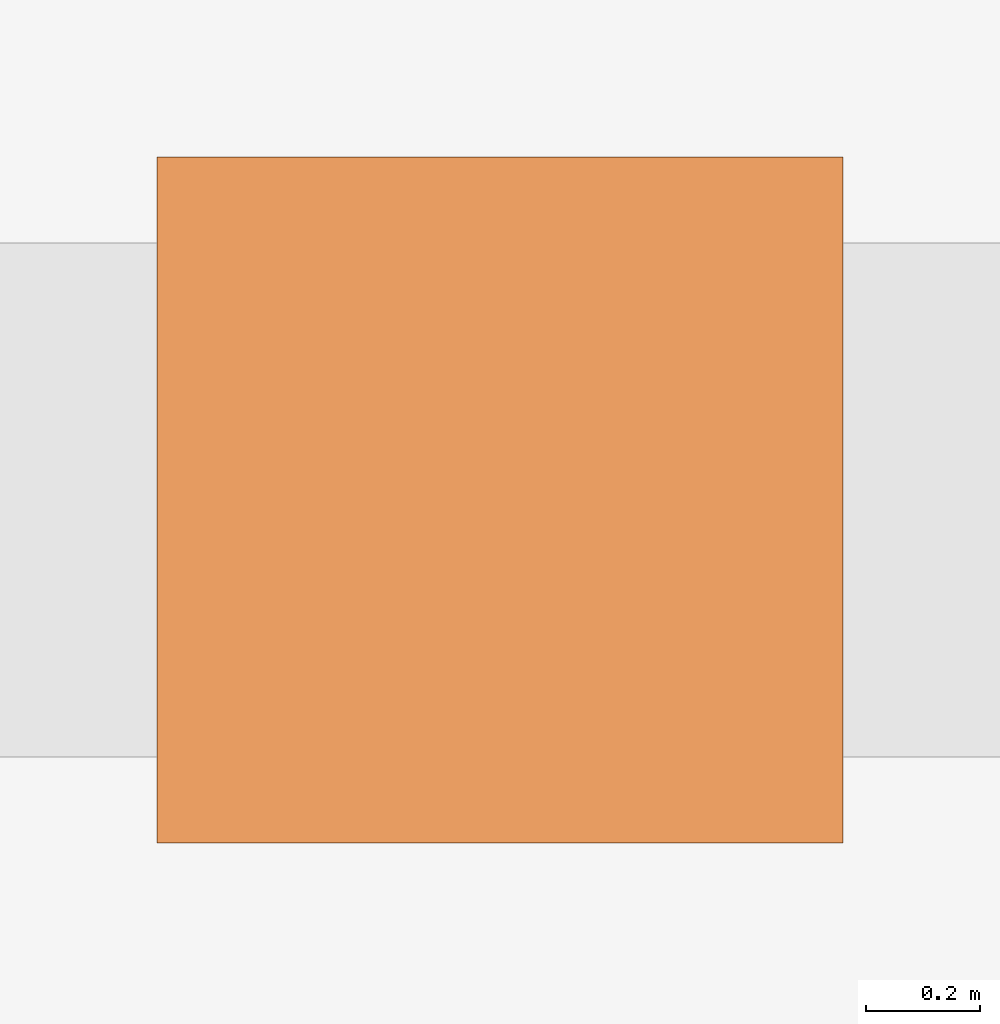
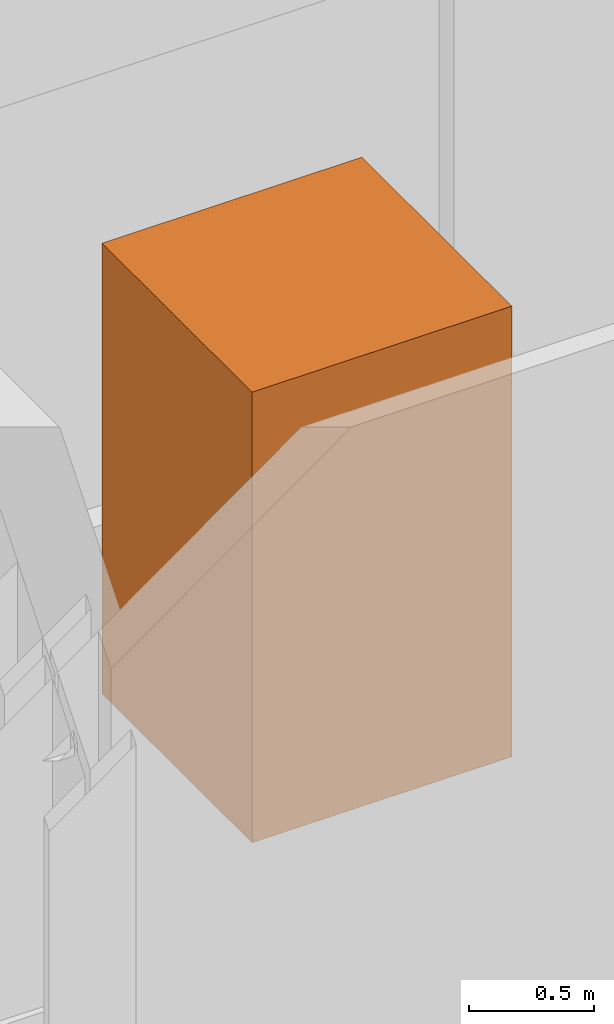
# One storey, part 10 of 10: 1 geographic element.
"""IFC4 building model written with IfcOpenShell, lengths in metres."""

from ifc_helpers import new_model, si_unit, direction, frame, origin, origin_2d, place, context, subcontext, project, spatial, rectangle, extrude, material, type_object, element, save


model = new_model("IFC4")

# Units and contexts
model_context = context("Model", 3, precision=1e-05, world=origin(), true_north=direction((0.0, 1.0)))
body_context = subcontext(model_context, "Body", "Model", "MODEL_VIEW")
ifc_project = project(units=[si_unit("LENGTHUNIT", "METRE"), si_unit("AREAUNIT", "SQUARE_METRE"), si_unit("VOLUMEUNIT", "CUBIC_METRE"), si_unit("PLANEANGLEUNIT", "RADIAN"), si_unit("MASSUNIT", "GRAM", prefix="KILO")], contexts=[model_context])

# Site, building, storey
site_placement = place(None, origin())
site = spatial("IfcSite", under=ifc_project, at=site_placement, CompositionType="ELEMENT")
building_placement = place(site_placement, origin())
building = spatial("IfcBuilding", under=site, at=building_placement, Name="Immortelle Media Tower", CompositionType="ELEMENT")
storey_placement = place(building_placement, frame((0.0, 0.0, 263.0)))
storey = spatial("IfcBuildingStorey", under=building, at=storey_placement, Name="L57", CompositionType="ELEMENT", Elevation=263.0)

# Geographic element
ifc_material = material(Name="Tree canopy foliage")
geographic_element_type = type_object("IfcGeographicElementType", Name="Tree", PredefinedType="USERDEFINED", material=ifc_material)
geographic_element_placement = place(storey_placement, frame((26.0, 1.550048828125, 0.60009765625), z_axis=(0.0, 0.0, 1.0), x_axis=(1.0, 0.0, 0.0)))
element("IfcGeographicElement", 1, at=geographic_element_placement, inside=storey, type_object=geographic_element_type, Name="Tree L57 S2", ObjectType="Tree", PredefinedType="USERDEFINED", context=body_context, shape_type="SweptSolid", body=[
    extrude(rectangle(XDim=1.199951171875, YDim=1.199951171875, at=origin_2d()), origin(), (0.0, 0.0, 1.0), 2.199951171875),
])

save(model, "model.ifc")
